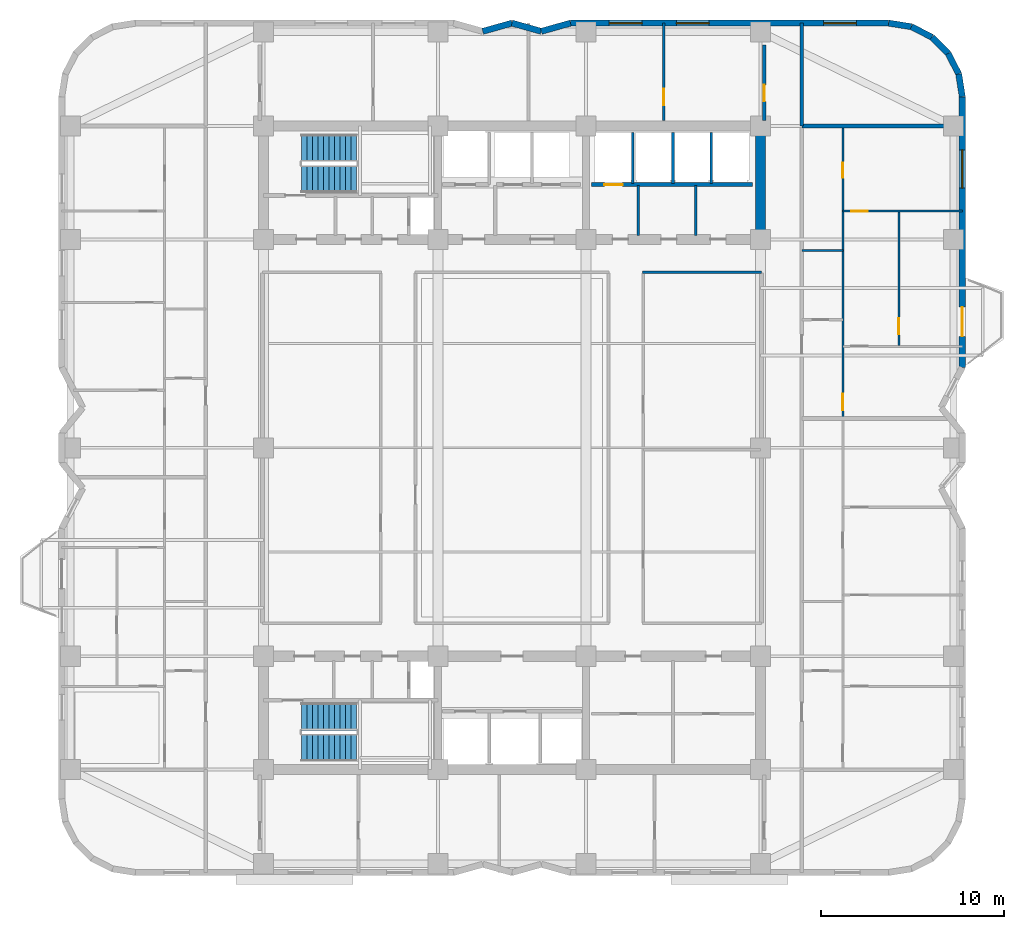
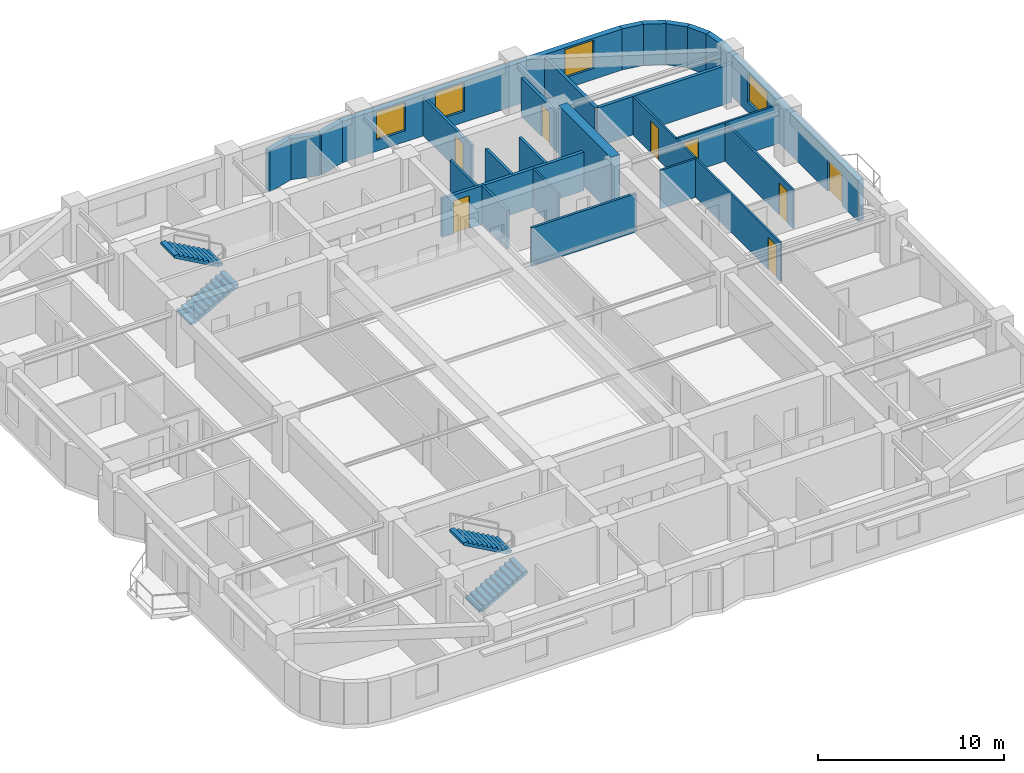
# One storey, part 7 of 10: 26 walls, 8 doors, 4 stair flights, 4 windows, 12 openings, 2 elements without a shape of their own.
"""IFC4 building model written with IfcOpenShell, lengths in metres."""

from ifc_helpers import new_model, si_unit, direction, frame, frame_2d, origin, place, context, subcontext, project, spatial, polyline, rectangle, outline, extrude, material, layer, layer_set, type_object, element, fill, aggregate, save


model = new_model("IFC4")

# Units and contexts
model_context = context("Model", 3, precision=1e-05, world=origin(), true_north=direction((0.0, 1.0)))
body_context = subcontext(model_context, "Body", "Model", "MODEL_VIEW")
ifc_project = project(units=[si_unit("LENGTHUNIT", "METRE"), si_unit("AREAUNIT", "SQUARE_METRE"), si_unit("VOLUMEUNIT", "CUBIC_METRE"), si_unit("PLANEANGLEUNIT", "RADIAN"), si_unit("MASSUNIT", "GRAM", prefix="KILO")], contexts=[model_context])

# Site, building, storey
site_placement = place(None, origin())
site = spatial("IfcSite", under=ifc_project, at=site_placement, CompositionType="ELEMENT")
building_placement = place(site_placement, origin())
building = spatial("IfcBuilding", under=site, at=building_placement, Name="Svetorya Sky Lyceum", CompositionType="ELEMENT")
storey_placement = place(building_placement, frame((0.0, 0.0, 129.0)))
storey = spatial("IfcBuildingStorey", under=building, at=storey_placement, Name="L32", CompositionType="ELEMENT", Elevation=129.0)

# Wall
ifc_material_1 = material(Name="Concrete C60/75", Category="concrete")
ifc_layer_1 = layer(ifc_material_1, 0.550048828125)
ifc_layer_set_1 = layer_set([ifc_layer_1], Name="Concrete C60/75")
wall_type_1 = type_object("IfcWallType", Name="WL-CORE-550", PredefinedType="SHEAR", material=ifc_layer_set_1)
wall_1_placement = place(storey_placement, frame((52.800048828125, 39.875, 0.0), z_axis=(0.0, 0.0, 1.0), x_axis=(0.0, 1.0, 0.0)))
element("IfcWall", 1, at=wall_1_placement, inside=storey, type_object=wall_type_1, Name="L32 NC East Core Shear Wall", PredefinedType="SHEAR", context=body_context, shape_type="SweptSolid", body=[
    extrude(rectangle(XDim=5.64990234375, YDim=0.550048828125, at=frame_2d((2.824951171875, 0.0))), origin(), (0.0, 0.0, 1.0), 3.699951171875),
])

# Wall, openings, door, window
ifc_material_2 = material(Name="Putilovo limestone rainscreen on autoclaved cellular masonry", Category="masonry")
ifc_layer_2 = layer(ifc_material_2, 0.340087890625)
ifc_layer_set_2 = layer_set([ifc_layer_2], Name="Putilovo limestone rainscreen on autoclaved cellular masonry")
wall_type_2 = type_object("IfcWallType", Name="WL-EXT-340", PredefinedType="SOLIDWALL", material=ifc_layer_set_2)
wall_2_placement = place(storey_placement, frame((63.830078125, 32.60009765625, 0.0), z_axis=(0.0, 0.0, 1.0), x_axis=(0.0, 1.0, 0.0)))
wall_2 = element("IfcWall", 2, at=wall_2_placement, inside=storey, type_object=wall_type_2, Name="L32 Limestone Exterior Wall 23M", PredefinedType="SOLIDWALL", context=body_context, shape_type="SweptSolid", body=[
    extrude(rectangle(XDim=14.7998046875, YDim=0.340087890625, at=frame_2d((7.39990234375, 0.0))), origin(), (0.0, 0.0, 1.0), 2.699951171875),
])
opening_1_placement = place(wall_2_placement, frame((1.699951171875, 0.0, 0.0)))
opening_1 = element("IfcOpeningElement", 3, at=opening_1_placement, cuts=wall_2, Name="Opening D-BL1", PredefinedType="OPENING", context=body_context, shape_type="SweptSolid", body=[
    extrude(rectangle(XDim=1.60009765625, YDim=2.10009765625, at=frame_2d((0.800048828125, 1.050048828125))), frame((0.0, 0.179931640625, 0.0), z_axis=(0.0, -1.0, 0.0), x_axis=(1.0, 0.0, 0.0)), (0.0, 0.0, 1.0), 0.360107421875),
])
opening_2_placement = place(wall_2_placement, frame((9.800048828125, 0.0, 0.679931640625)))
opening_2 = element("IfcOpeningElement", 4, at=opening_2_placement, cuts=wall_2, Name="Opening W-R0", PredefinedType="OPENING", context=body_context, shape_type="SweptSolid", body=[
    extrude(rectangle(XDim=2.10009765625, YDim=1.89990234375, at=frame_2d((1.050048828125, 0.949951171875))), frame((0.0, 0.179931640625, 0.0), z_axis=(0.0, -1.0, 0.0), x_axis=(1.0, 0.0, 0.0)), (0.0, 0.0, 1.0), 0.360107421875),
])
ifc_material_3 = material(Name="Insulated glazed aluminium balcony door", Category="aluminium")
door_type_1 = type_object("IfcDoorType", Name="DR-BAL-1600", OperationType="DOUBLE_DOOR_SINGLE_SWING", PredefinedType="DOOR", material=ifc_material_3)
door_1_placement = place(opening_1_placement, origin())
door_1 = element("IfcDoor", 5, at=door_1_placement, inside=storey, type_object=door_type_1, Name="L32 Balcony BAL-E1 Door", OperationType="DOUBLE_DOOR_SINGLE_SWING", OverallHeight=2.10009765625, OverallWidth=1.60009765625, PredefinedType="DOOR", context=body_context, shape_type="SweptSolid", body=[
    extrude(rectangle(XDim=1.60009765625, YDim=2.10009765625, at=frame_2d((0.800048828125, 1.050048828125))), frame((0.0, 0.02490234375, 0.0), z_axis=(0.0, -1.0, 0.0), x_axis=(1.0, 0.0, 0.0)), (0.0, 0.0, 1.0), 0.050048828125),
])
fill(opening_1, door_1)
ifc_material_4 = material(Name="Thermally broken aluminium frame with triple low-E glazing", Category="aluminium")
window_type_1 = type_object("IfcWindowType", Name="WN-RES-210", PartitioningType="TRIPLE_PANEL_VERTICAL", PredefinedType="WINDOW", material=ifc_material_4)
window_1_placement = place(opening_2_placement, origin())
window_1 = element("IfcWindow", 6, at=window_1_placement, inside=storey, type_object=window_type_1, Name="L32 Facade Window W-R0.23M.1", OverallHeight=1.89990234375, OverallWidth=2.10009765625, PartitioningType="SINGLE_PANEL", PredefinedType="WINDOW", context=body_context, shape_type="SweptSolid", body=[
    extrude(rectangle(XDim=2.10009765625, YDim=1.89990234375, at=frame_2d((1.050048828125, 0.949951171875))), frame((0.0, 0.030029296875, 0.0), z_axis=(0.0, -1.0, 0.0), x_axis=(1.0, 0.0, 0.0)), (0.0, 0.0, 1.0), 0.06005859375),
])
fill(opening_2, window_1)

# Walls
for number, where, z_axis, x_axis, name in (
    (7, (63.830078125, 47.39990234375, 0.0), (0.0, 0.0, 1.0), (-0.15644975923, 0.987685918112, 0.0), "L32 Limestone Exterior Wall 24M"),
    (8, (63.6328125, 48.645263671875, 0.0), (0.0, 0.0, 1.0), (-0.454015689056, 0.890993689142, 0.0), "L32 Limestone Exterior Wall 25M"),
    (9, (63.060302734375, 49.768798828125, 0.0), (0.0, 0.0, 1.0), (-0.707106781187, 0.707106781187, 0.0), "L32 Limestone Exterior Wall 26M"),
):
    element("IfcWall", number, at=place(storey_placement, frame(where, z_axis=z_axis, x_axis=x_axis)), inside=storey, type_object=wall_type_2, Name=name, PredefinedType="SOLIDWALL", context=body_context, shape_type="SweptSolid", body=[
        extrude(rectangle(XDim=1.260986328125, YDim=0.340087890625, at=frame_2d((0.63037109375, 0.0))), origin(), (0.0, 0.0, 1.0), 2.699951171875),
    ])
for number, where, z_axis, x_axis, name in (
    (10, (62.168701171875, 50.660400390625, 0.0), (0.0, 0.0, 1.0), (-0.890953769915, 0.454094020963, 0.0), "L32 Limestone Exterior Wall 27M"),
    (11, (61.04541015625, 51.23291015625, 0.0), (0.0, 0.0, 1.0), (-0.98771582066, 0.156260864002, 0.0), "L32 Limestone Exterior Wall 28M"),
):
    element("IfcWall", number, at=place(storey_placement, frame(where, z_axis=z_axis, x_axis=x_axis)), inside=storey, type_object=wall_type_2, Name=name, PredefinedType="SOLIDWALL", context=body_context, shape_type="SweptSolid", body=[
        extrude(rectangle(XDim=1.2607421875, YDim=0.340087890625, at=frame_2d((0.63037109375, 0.0))), origin(), (0.0, 0.0, 1.0), 2.699951171875),
    ])

# Wall, openings, windows
wall_3_placement = place(storey_placement, frame((59.800048828125, 51.429931640625, 0.0), z_axis=(0.0, 0.0, 1.0), x_axis=(-1.0, 0.0, 0.0)))
wall_3 = element("IfcWall", 12, at=wall_3_placement, inside=storey, type_object=wall_type_2, Name="L32 Limestone Exterior Wall 29M", PredefinedType="SOLIDWALL", context=body_context, shape_type="SweptSolid", body=[
    extrude(rectangle(XDim=17.400146484375, YDim=0.340087890625, at=frame_2d((8.7001953125, 0.0))), origin(), (0.0, 0.0, 1.0), 2.699951171875),
])
opening_3_placement = place(wall_3_placement, frame((1.762451171875, 0.0, 0.72998046875)))
opening_3 = element("IfcOpeningElement", 13, at=opening_3_placement, cuts=wall_3, Name="Opening W-R1", PredefinedType="OPENING", context=body_context, shape_type="SweptSolid", body=[
    extrude(rectangle(XDim=1.800048828125, YDim=1.85009765625, at=frame_2d((0.89990234375, 0.925048828125))), frame((0.0, 0.179931640625, 0.0), z_axis=(0.0, -1.0, 0.0), x_axis=(1.0, 0.0, 0.0)), (0.0, 0.0, 1.0), 0.360107421875),
])
opening_4_placement = place(wall_3_placement, frame((9.8125, 0.0, 0.72998046875)))
opening_4 = element("IfcOpeningElement", 14, at=opening_4_placement, cuts=wall_3, Name="Opening W-R1", PredefinedType="OPENING", context=body_context, shape_type="SweptSolid", body=[
    extrude(rectangle(XDim=1.800048828125, YDim=1.85009765625, at=frame_2d((0.89990234375, 0.925048828125))), frame((0.0, 0.179931640625, 0.0), z_axis=(0.0, -1.0, 0.0), x_axis=(1.0, 0.0, 0.0)), (0.0, 0.0, 1.0), 0.360107421875),
])
opening_5_placement = place(wall_3_placement, frame((13.487548828125, 0.0, 0.72998046875)))
opening_5 = element("IfcOpeningElement", 15, at=opening_5_placement, cuts=wall_3, Name="Opening W-R1", PredefinedType="OPENING", context=body_context, shape_type="SweptSolid", body=[
    extrude(rectangle(XDim=1.800048828125, YDim=1.85009765625, at=frame_2d((0.89990234375, 0.925048828125))), frame((0.0, 0.179931640625, 0.0), z_axis=(0.0, -1.0, 0.0), x_axis=(1.0, 0.0, 0.0)), (0.0, 0.0, 1.0), 0.360107421875),
])
window_type_2 = type_object("IfcWindowType", Name="WN-RES-180", PartitioningType="DOUBLE_PANEL_VERTICAL", PredefinedType="WINDOW", material=ifc_material_4)
window_2_placement = place(opening_3_placement, origin())
window_2 = element("IfcWindow", 16, at=window_2_placement, inside=storey, type_object=window_type_2, Name="L32 Facade Window W-R1.29M.1", OverallHeight=1.85009765625, OverallWidth=1.800048828125, PartitioningType="SINGLE_PANEL", PredefinedType="WINDOW", context=body_context, shape_type="SweptSolid", body=[
    extrude(rectangle(XDim=1.800048828125, YDim=1.85009765625, at=frame_2d((0.89990234375, 0.925048828125))), frame((0.0, 0.030029296875, 0.0), z_axis=(0.0, -1.0, 0.0), x_axis=(1.0, 0.0, 0.0)), (0.0, 0.0, 1.0), 0.06005859375),
])
fill(opening_3, window_2)
window_3_placement = place(opening_4_placement, origin())
window_3 = element("IfcWindow", 17, at=window_3_placement, inside=storey, type_object=window_type_2, Name="L32 Facade Window W-R1.29M.2", OverallHeight=1.85009765625, OverallWidth=1.800048828125, PartitioningType="SINGLE_PANEL", PredefinedType="WINDOW", context=body_context, shape_type="SweptSolid", body=[
    extrude(rectangle(XDim=1.800048828125, YDim=1.85009765625, at=frame_2d((0.89990234375, 0.925048828125))), frame((0.0, 0.030029296875, 0.0), z_axis=(0.0, -1.0, 0.0), x_axis=(1.0, 0.0, 0.0)), (0.0, 0.0, 1.0), 0.06005859375),
])
fill(opening_4, window_3)
window_4_placement = place(opening_5_placement, origin())
window_4 = element("IfcWindow", 18, at=window_4_placement, inside=storey, type_object=window_type_2, Name="L32 Facade Window W-R1.29M.3", OverallHeight=1.85009765625, OverallWidth=1.800048828125, PartitioningType="SINGLE_PANEL", PredefinedType="WINDOW", context=body_context, shape_type="SweptSolid", body=[
    extrude(rectangle(XDim=1.800048828125, YDim=1.85009765625, at=frame_2d((0.89990234375, 0.925048828125))), frame((0.0, 0.030029296875, 0.0), z_axis=(0.0, -1.0, 0.0), x_axis=(1.0, 0.0, 0.0)), (0.0, 0.0, 1.0), 0.06005859375),
])
fill(opening_5, window_4)

# Walls
wall_4_placement = place(storey_placement, frame((42.39990234375, 51.429931640625, 0.0), z_axis=(0.0, 0.0, 1.0), x_axis=(-0.962652136636, -0.270741322725, 0.0)))
element("IfcWall", 19, at=wall_4_placement, inside=storey, type_object=wall_type_2, Name="L32 Limestone Exterior Wall 30M", PredefinedType="SOLIDWALL", context=body_context, shape_type="SweptSolid", body=[
    extrude(rectangle(XDim=1.661865234375, YDim=0.340087890625, at=frame_2d((0.8310546875, 0.0))), origin(), (0.0, 0.0, 1.0), 2.699951171875),
])
wall_5_placement = place(storey_placement, frame((40.800048828125, 50.97998046875, 0.0), z_axis=(0.0, 0.0, 1.0), x_axis=(-0.962662902433, 0.270703040766, 0.0)))
element("IfcWall", 20, at=wall_5_placement, inside=storey, type_object=wall_type_2, Name="L32 Limestone Exterior Wall 31M", PredefinedType="SOLIDWALL", context=body_context, shape_type="SweptSolid", body=[
    extrude(rectangle(XDim=1.662109375, YDim=0.340087890625, at=frame_2d((0.8310546875, 0.0))), origin(), (0.0, 0.0, 1.0), 2.699951171875),
])
wall_6_placement = place(storey_placement, frame((39.199951171875, 51.429931640625, 0.0), z_axis=(0.0, 0.0, 1.0), x_axis=(-0.962652136636, -0.270741322725, 0.0)))
element("IfcWall", 21, at=wall_6_placement, inside=storey, type_object=wall_type_2, Name="L32 Limestone Exterior Wall 32M", PredefinedType="SOLIDWALL", context=body_context, shape_type="SweptSolid", body=[
    extrude(rectangle(XDim=1.661865234375, YDim=0.340087890625, at=frame_2d((0.8310546875, 0.0))), origin(), (0.0, 0.0, 1.0), 2.699951171875),
])
ifc_material_5 = material(Name="Twin-stud galvanized framing with double fireboard", Category="gypsum")
ifc_layer_3 = layer(ifc_material_5, 0.1201171875)
ifc_layer_set_3 = layer_set([ifc_layer_3], Name="Twin-stud galvanized framing with double fireboard")
wall_type_3 = type_object("IfcWallType", Name="WL-PART-120", PredefinedType="PARTITIONING", material=ifc_layer_set_3)
wall_7_placement = place(storey_placement, frame((49.25, 39.820068359375, 0.0), z_axis=(0.0, 0.0, 1.0), x_axis=(0.0, 1.0, 0.0)))
element("IfcWall", 22, at=wall_7_placement, inside=storey, type_object=wall_type_3, Name="L32 Interior Partition NC-Z2ED", PredefinedType="PARTITIONING", context=body_context, shape_type="SweptSolid", body=[
    extrude(rectangle(XDim=2.72998046875, YDim=0.1201171875, at=frame_2d((1.364990234375, 0.0))), origin(), (0.0, 0.0, 1.0), 2.530029296875),
])
wall_8_placement = place(storey_placement, frame((55.050048828125, 39.0, 0.0), z_axis=(0.0, 0.0, 1.0), x_axis=(1.0, 0.0, 0.0)))
element("IfcWall", 23, at=wall_8_placement, inside=storey, type_object=wall_type_3, Name="L32 Interior Partition E2-WH2", PredefinedType="PARTITIONING", context=body_context, shape_type="SweptSolid", body=[
    extrude(rectangle(XDim=2.25, YDim=0.1201171875, at=frame_2d((1.125, 0.0))), origin(), (0.0, 0.0, 1.0), 2.530029296875),
])

# Wall, opening, door
wall_9_placement = place(storey_placement, frame((60.36083984375, 33.7900390625, 0.0), z_axis=(0.0, 0.0, 1.0), x_axis=(0.0, 1.0, 0.0)))
wall_9 = element("IfcWall", 24, at=wall_9_placement, inside=storey, type_object=wall_type_3, Name="L32 Interior Partition E2-BVD1", PredefinedType="PARTITIONING", context=body_context, shape_type="SweptSolid", body=[
    extrude(rectangle(XDim=7.320068359375, YDim=0.1201171875, at=frame_2d((3.66015625, 0.0))), origin(), (0.0, 0.0, 1.0), 2.530029296875),
])
opening_6_placement = place(wall_9_placement, frame((0.610107421875, 0.0, 0.0)))
opening_6 = element("IfcOpeningElement", 25, at=opening_6_placement, cuts=wall_9, Name="Opening D-RM1", PredefinedType="OPENING", context=body_context, shape_type="SweptSolid", body=[
    extrude(rectangle(XDim=0.89990234375, YDim=2.10009765625, at=frame_2d((0.449951171875, 1.050048828125))), frame((0.0, 0.070068359375, 0.0), z_axis=(0.0, -1.0, 0.0), x_axis=(1.0, 0.0, 0.0)), (0.0, 0.0, 1.0), 0.14013671875),
])
ifc_material_6 = material(Name="Lacquered birch veneer internal door")
door_type_2 = type_object("IfcDoorType", Name="DR-INT-900", OperationType="SINGLE_SWING_LEFT", PredefinedType="DOOR", material=ifc_material_6)
door_2_placement = place(opening_6_placement, origin())
door_2 = element("IfcDoor", 26, at=door_2_placement, inside=storey, type_object=door_type_2, Name="Apartment E2 Suite Bedroom Door", OperationType="SINGLE_SWING_LEFT", OverallHeight=2.10009765625, OverallWidth=0.89990234375, PredefinedType="DOOR", context=body_context, shape_type="SweptSolid", body=[
    extrude(rectangle(XDim=0.89990234375, YDim=2.10009765625, at=frame_2d((0.449951171875, 1.050048828125))), frame((0.0, 0.02490234375, 0.0), z_axis=(0.0, -1.0, 0.0), x_axis=(1.0, 0.0, 0.0)), (0.0, 0.0, 1.0), 0.050048828125),
])
fill(opening_6, door_2)

wall_10_placement = place(storey_placement, frame((57.300048828125, 41.14990234375, 0.0), z_axis=(0.0, 0.0, 1.0), x_axis=(1.0, 0.0, 0.0)))
wall_10 = element("IfcWall", 27, at=wall_10_placement, inside=storey, type_object=wall_type_3, Name="L32 Interior Partition E2-WL2", PredefinedType="PARTITIONING", context=body_context, shape_type="SweptSolid", body=[
    extrude(rectangle(XDim=6.530029296875, YDim=0.1201171875, at=frame_2d((3.26513671875, 0.0))), origin(), (0.0, 0.0, 1.0), 2.530029296875),
])
opening_7_placement = place(wall_10_placement, frame((0.449951171875, 0.0, 0.0)))
opening_7 = element("IfcOpeningElement", 28, at=opening_7_placement, cuts=wall_10, Name="Opening D-RM1", PredefinedType="OPENING", context=body_context, shape_type="SweptSolid", body=[
    extrude(rectangle(XDim=0.89990234375, YDim=2.10009765625, at=frame_2d((0.449951171875, 1.050048828125))), frame((0.0, 0.070068359375, 0.0), z_axis=(0.0, -1.0, 0.0), x_axis=(1.0, 0.0, 0.0)), (0.0, 0.0, 1.0), 0.14013671875),
])
door_3_placement = place(opening_7_placement, origin())
door_3 = element("IfcDoor", 29, at=door_3_placement, inside=storey, type_object=door_type_2, Name="Apartment E2 Bedroom 2 Door", OperationType="SINGLE_SWING_RIGHT", OverallHeight=2.10009765625, OverallWidth=0.89990234375, PredefinedType="DOOR", context=body_context, shape_type="SweptSolid", body=[
    extrude(rectangle(XDim=0.89990234375, YDim=2.10009765625, at=frame_2d((0.449951171875, 1.050048828125))), frame((0.0, 0.02490234375, 0.0), z_axis=(0.0, -1.0, 0.0), x_axis=(1.0, 0.0, 0.0)), (0.0, 0.0, 1.0), 0.050048828125),
])
fill(opening_7, door_3)

# Wall, openings, doors
wall_11_placement = place(storey_placement, frame((57.300048828125, 29.840087890625, 0.0), z_axis=(0.0, 0.0, 1.0), x_axis=(0.0, 1.0, 0.0)))
wall_11 = element("IfcWall", 30, at=wall_11_placement, inside=storey, type_object=wall_type_3, Name="L32 Interior Partition E2-WV", PredefinedType="PARTITIONING", context=body_context, shape_type="SweptSolid", body=[
    extrude(rectangle(XDim=15.919921875, YDim=0.1201171875, at=frame_2d((7.9599609375, 0.0))), origin(), (0.0, 0.0, 1.0), 2.530029296875),
])
opening_8_placement = place(wall_11_placement, frame((0.409912109375, 0.0, 0.0)))
opening_8 = element("IfcOpeningElement", 31, at=opening_8_placement, cuts=wall_11, Name="Opening D-RM1", PredefinedType="OPENING", context=body_context, shape_type="SweptSolid", body=[
    extrude(rectangle(XDim=0.89990234375, YDim=2.10009765625, at=frame_2d((0.449951171875, 1.050048828125))), frame((0.0, 0.070068359375, 0.0), z_axis=(0.0, -1.0, 0.0), x_axis=(1.0, 0.0, 0.0)), (0.0, 0.0, 1.0), 0.14013671875),
])
opening_9_placement = place(wall_11_placement, frame((13.125, 0.0, 0.0)))
opening_9 = element("IfcOpeningElement", 32, at=opening_9_placement, cuts=wall_11, Name="Opening D-BT2", PredefinedType="OPENING", context=body_context, shape_type="SweptSolid", body=[
    extrude(rectangle(XDim=0.820068359375, YDim=2.080078125, at=frame_2d((0.41015625, 1.0400390625))), frame((0.0, 0.070068359375, 0.0), z_axis=(0.0, -1.0, 0.0), x_axis=(1.0, 0.0, 0.0)), (0.0, 0.0, 1.0), 0.14013671875),
])
door_4_placement = place(opening_8_placement, origin())
door_4 = element("IfcDoor", 33, at=door_4_placement, inside=storey, type_object=door_type_2, Name="Apartment E2 Living Door", OperationType="SINGLE_SWING_RIGHT", OverallHeight=2.10009765625, OverallWidth=0.89990234375, PredefinedType="DOOR", context=body_context, shape_type="SweptSolid", body=[
    extrude(rectangle(XDim=0.89990234375, YDim=2.10009765625, at=frame_2d((0.449951171875, 1.050048828125))), frame((0.0, 0.02490234375, 0.0), z_axis=(0.0, -1.0, 0.0), x_axis=(1.0, 0.0, 0.0)), (0.0, 0.0, 1.0), 0.050048828125),
])
fill(opening_8, door_4)
ifc_material_7 = material(Name="Compact moisture-resistant laminate closet door")
door_type_3 = type_object("IfcDoorType", Name="DR-WET-820", OperationType="SINGLE_SWING_LEFT", PredefinedType="DOOR", material=ifc_material_7)
door_5_placement = place(opening_9_placement, origin())
door_5 = element("IfcDoor", 34, at=door_5_placement, inside=storey, type_object=door_type_3, Name="Apartment E2 Study Door", OperationType="SINGLE_SWING_LEFT", OverallHeight=2.080078125, OverallWidth=0.820068359375, PredefinedType="DOOR", context=body_context, shape_type="SweptSolid", body=[
    extrude(rectangle(XDim=0.820068359375, YDim=2.080078125, at=frame_2d((0.41015625, 1.0400390625))), frame((0.0, 0.02490234375, 0.0), z_axis=(0.0, -1.0, 0.0), x_axis=(1.0, 0.0, 0.0)), (0.0, 0.0, 1.0), 0.050048828125),
])
fill(opening_9, door_5)

# Walls
ifc_material_8 = material(Name="Autoclaved cellular masonry blockwork with acoustic render", Category="masonry")
ifc_layer_4 = layer(ifc_material_8, 0.14990234375)
ifc_layer_set_4 = layer_set([ifc_layer_4], Name="Autoclaved cellular masonry blockwork with acoustic render")
wall_type_4 = type_object("IfcWallType", Name="WL-PART-150", PredefinedType="PARTITIONING", material=ifc_layer_set_4)
for number, where, z_axis, x_axis, name in (
    (35, (45.800048828125, 42.64990234375, 0.0), (0.0, 0.0, 1.0), (0.0, 1.0, 0.0), "L32 Interior Partition NC-PM3-D"),
    (36, (48.0, 42.64990234375, 0.0), (0.0, 0.0, 1.0), (0.0, 1.0, 0.0), "L32 Interior Partition NC-PH-D1"),
    (37, (50.10009765625, 42.64990234375, 0.0), (0.0, 0.0, 1.0), (0.0, 1.0, 0.0), "L32 Interior Partition NC-PH-D2"),
):
    element("IfcWall", number, at=place(storey_placement, frame(where, z_axis=z_axis, x_axis=x_axis)), inside=storey, type_object=wall_type_4, Name=name, PredefinedType="PARTITIONING", context=body_context, shape_type="SweptSolid", body=[
        extrude(rectangle(XDim=2.800048828125, YDim=0.14990234375, at=frame_2d((1.39990234375, 0.0))), origin(), (0.0, 0.0, 1.0), 2.530029296875),
    ])
wall_12_placement = place(storey_placement, frame((46.10009765625, 39.820068359375, 0.0), z_axis=(0.0, 0.0, 1.0), x_axis=(0.0, 1.0, 0.0)))
element("IfcWall", 38, at=wall_12_placement, inside=storey, type_object=wall_type_4, Name="L32 Interior Partition NC-PM3SEP", PredefinedType="PARTITIONING", context=body_context, shape_type="SweptSolid", body=[
    extrude(rectangle(XDim=2.72998046875, YDim=0.14990234375, at=frame_2d((1.364990234375, 0.0))), origin(), (0.0, 0.0, 1.0), 2.530029296875),
])
wall_13_placement = place(storey_placement, frame((46.35009765625, 37.800048828125, 0.0), z_axis=(0.0, 0.0, 1.0), x_axis=(1.0, 0.0, 0.0)))
element("IfcWall", 39, at=wall_13_placement, inside=storey, type_object=wall_type_4, Name="L32 Interior Partition RL-CN-E", PredefinedType="PARTITIONING", context=body_context, shape_type="SweptSolid", body=[
    extrude(rectangle(XDim=6.5, YDim=0.14990234375, at=frame_2d((3.25, 0.0))), origin(), (0.0, 0.0, 1.0), 2.530029296875),
])

# Wall, opening, door
wall_14_placement = place(storey_placement, frame((47.5, 46.10009765625, 0.0), z_axis=(0.0, 0.0, 1.0), x_axis=(0.0, 1.0, 0.0)))
wall_14 = element("IfcWall", 40, at=wall_14_placement, inside=storey, type_object=wall_type_4, Name="L32 Interior Partition N4-D3", PredefinedType="PARTITIONING", context=body_context, shape_type="SweptSolid", body=[
    extrude(rectangle(XDim=5.329833984375, YDim=0.14990234375, at=frame_2d((2.6650390625, 0.0))), origin(), (0.0, 0.0, 1.0), 2.530029296875),
])
opening_10_placement = place(wall_14_placement, frame((0.85009765625, 0.0, 0.0)))
opening_10 = element("IfcOpeningElement", 41, at=opening_10_placement, cuts=wall_14, Name="Opening D-RM1", PredefinedType="OPENING", context=body_context, shape_type="SweptSolid", body=[
    extrude(rectangle(XDim=0.89990234375, YDim=2.10009765625, at=frame_2d((0.449951171875, 1.050048828125))), frame((0.0, 0.0849609375, 0.0), z_axis=(0.0, -1.0, 0.0), x_axis=(1.0, 0.0, 0.0)), (0.0, 0.0, 1.0), 0.169921875),
])
door_6_placement = place(opening_10_placement, origin())
door_6 = element("IfcDoor", 42, at=door_6_placement, inside=storey, type_object=door_type_2, Name="L32 North Suite Door 3", OperationType="SINGLE_SWING_RIGHT", OverallHeight=2.10009765625, OverallWidth=0.89990234375, PredefinedType="DOOR", context=body_context, shape_type="SweptSolid", body=[
    extrude(rectangle(XDim=0.89990234375, YDim=2.10009765625, at=frame_2d((0.449951171875, 1.050048828125))), frame((0.0, 0.02490234375, 0.0), z_axis=(0.0, -1.0, 0.0), x_axis=(1.0, 0.0, 0.0)), (0.0, 0.0, 1.0), 0.050048828125),
])
fill(opening_10, door_6)

ifc_material_9 = material(Name="Autoclaved cellular masonry blockwork with gypsum plaster", Category="masonry")
ifc_layer_5 = layer(ifc_material_9, 0.199951171875)
ifc_layer_set_5 = layer_set([ifc_layer_5], Name="Autoclaved cellular masonry blockwork with gypsum plaster")
wall_type_5 = type_object("IfcWallType", Name="WL-PART-200", PredefinedType="PARTITIONING", material=ifc_layer_set_5)
wall_15_placement = place(storey_placement, frame((52.35009765625, 42.60009765625, 0.0), z_axis=(0.0, 0.0, 1.0), x_axis=(-1.0, 0.0, 0.0)))
wall_15 = element("IfcWall", 43, at=wall_15_placement, inside=storey, type_object=wall_type_5, Name="L32 Interior Partition NC-PHEW", PredefinedType="PARTITIONING", context=body_context, shape_type="SweptSolid", body=[
    extrude(rectangle(XDim=8.800048828125, YDim=0.199951171875, at=frame_2d((4.39990234375, 0.0))), origin(), (0.0, 0.0, 1.0), 2.530029296875),
])
opening_11_placement = place(wall_15_placement, frame((7.10009765625, 0.0, 0.0)))
opening_11 = element("IfcOpeningElement", 44, at=opening_11_placement, cuts=wall_15, Name="Opening LD-P1", PredefinedType="OPENING", context=body_context, shape_type="SweptSolid", body=[
    extrude(rectangle(XDim=1.0, YDim=2.14990234375, at=frame_2d((0.5, 1.074951171875))), frame((0.0, 0.10986328125, 0.0), z_axis=(0.0, -1.0, 0.0), x_axis=(1.0, 0.0, 0.0)), (0.0, 0.0, 1.0), 0.219970703125),
])
ifc_material_10 = material(Name="Champagne-anodized stainless passenger lift landing door")
door_type_4 = type_object("IfcDoorType", Name="DR-LIFT-1000", OperationType="SLIDING_TO_LEFT", PredefinedType="DOOR", material=ifc_material_10)
door_7_placement = place(opening_11_placement, origin())
door_7 = element("IfcDoor", 45, at=door_7_placement, inside=storey, type_object=door_type_4, Name="L32 Passenger Lift PM3 Landing Door", OperationType="SLIDING_TO_LEFT", OverallHeight=2.14990234375, OverallWidth=1.0, PredefinedType="DOOR", context=body_context, shape_type="SweptSolid", body=[
    extrude(rectangle(XDim=1.0, YDim=2.14990234375, at=frame_2d((0.5, 1.074951171875))), frame((0.0, 0.02490234375, 0.0), z_axis=(0.0, -1.0, 0.0), x_axis=(1.0, 0.0, 0.0)), (0.0, 0.0, 1.0), 0.050048828125),
])
fill(opening_11, door_7)

# Walls
wall_16_placement = place(storey_placement, frame((55.050048828125, 45.800048828125, 0.0), z_axis=(0.0, 0.0, 1.0), x_axis=(1.0, 0.0, 0.0)))
element("IfcWall", 46, at=wall_16_placement, inside=storey, type_object=wall_type_5, Name="L32 Interior Partition E-CAP-N", PredefinedType="PARTITIONING", context=body_context, shape_type="SweptSolid", body=[
    extrude(rectangle(XDim=8.35986328125, YDim=0.199951171875, at=frame_2d((4.179931640625, 0.0))), origin(), (0.0, 0.0, 1.0), 2.530029296875),
])
wall_17_placement = place(storey_placement, frame((55.050048828125, 45.800048828125, 0.0), z_axis=(0.0, 0.0, 1.0), x_axis=(0.0, 1.0, 0.0)))
element("IfcWall", 47, at=wall_17_placement, inside=storey, type_object=wall_type_5, Name="L32 Interior Partition EC-NE-END", PredefinedType="PARTITIONING", context=body_context, shape_type="SweptSolid", body=[
    extrude(rectangle(XDim=5.6298828125, YDim=0.199951171875, at=frame_2d((2.81494140625, 0.0))), origin(), (0.0, 0.0, 1.0), 2.530029296875),
])

# Wall, opening, door
wall_18_placement = place(storey_placement, frame((53.0, 46.10009765625, 0.0), z_axis=(0.0, 0.0, 1.0), x_axis=(0.0, 1.0, 0.0)))
wall_18 = element("IfcWall", 48, at=wall_18_placement, inside=storey, type_object=wall_type_5, Name="L32 Interior Partition N4-EE", PredefinedType="PARTITIONING", context=body_context, shape_type="SweptSolid", body=[
    extrude(rectangle(XDim=4.1298828125, YDim=0.199951171875, at=frame_2d((2.06494140625, 0.0))), origin(), (0.0, 0.0, 1.0), 2.530029296875),
])
opening_12_placement = place(wall_18_placement, frame((1.050048828125, 0.0, 0.0)))
opening_12 = element("IfcOpeningElement", 49, at=opening_12_placement, cuts=wall_18, Name="Opening D-RM1", PredefinedType="OPENING", context=body_context, shape_type="SweptSolid", body=[
    extrude(rectangle(XDim=0.89990234375, YDim=2.10009765625, at=frame_2d((0.449951171875, 1.050048828125))), frame((0.0, 0.10986328125, 0.0), z_axis=(0.0, -1.0, 0.0), x_axis=(1.0, 0.0, 0.0)), (0.0, 0.0, 1.0), 0.219970703125),
])
door_8_placement = place(opening_12_placement, origin())
door_8 = element("IfcDoor", 50, at=door_8_placement, inside=storey, type_object=door_type_2, Name="L32 NE Office Door", OperationType="SINGLE_SWING_LEFT", OverallHeight=2.10009765625, OverallWidth=0.89990234375, PredefinedType="DOOR", context=body_context, shape_type="SweptSolid", body=[
    extrude(rectangle(XDim=0.89990234375, YDim=2.10009765625, at=frame_2d((0.449951171875, 1.050048828125))), frame((0.0, 0.02490234375, 0.0), z_axis=(0.0, -1.0, 0.0), x_axis=(1.0, 0.0, 0.0)), (0.0, 0.0, 1.0), 0.050048828125),
])
fill(opening_12, door_8)

# Stair, stair flights
ifc_material_11 = material(Name="Concrete C40/50", Category="concrete")
stair_type_1 = type_object("IfcStairType", Name="STR-ST-N", PredefinedType="HALF_TURN_STAIR", material=ifc_material_11)
stair_1_placement = place(storey_placement, origin())
stair_1 = element("IfcStair", 51, at=stair_1_placement, inside=storey, type_object=stair_type_1, Name="L32 North Core Smoke-Free Exit Stair N3", PredefinedType="HALF_TURN_STAIR")
stair_flight_type_1 = type_object("IfcStairFlightType", Name="SFL-ST-N", PredefinedType="STRAIGHT", material=ifc_material_11)
stair_flight_1_placement = place(storey_placement, frame((27.699951171875, 42.89990234375, 0.0), z_axis=(0.0, 0.0, 1.0), x_axis=(1.0, 0.0, 0.0)))
stair_flight_1 = element("IfcStairFlight", 52, at=stair_flight_1_placement, type_object=stair_flight_type_1, Name="ST-N flight 1", NumberOfRisers=11, NumberOfTreads=10, PredefinedType="STRAIGHT", RiserHeight=0.168181818, TreadLength=0.3, context=body_context, shape_type="SweptSolid", body=[
    extrude(outline(polyline([(0.0, 0.0), (0.0, 0.168212890625), (0.300048828125, 0.168212890625), (0.300048828125, 0.33642578125), (0.60009765625, 0.33642578125), (0.60009765625, 0.504638671875), (0.89990234375, 0.504638671875), (0.89990234375, 0.672607421875), (1.199951171875, 0.672607421875), (1.199951171875, 0.8408203125), (1.5, 0.8408203125), (1.5, 1.009033203125), (1.800048828125, 1.009033203125), (1.800048828125, 1.17724609375), (2.10009765625, 1.17724609375), (2.10009765625, 1.345458984375), (2.39990234375, 1.345458984375), (2.39990234375, 1.513671875), (2.699951171875, 1.513671875), (2.699951171875, 1.681884765625), (3.0, 1.681884765625), (3.0, 1.85009765625), (3.0, 1.510009765625), (0.306640625, 0.0), (0.0, 0.0)])), frame((0.0, 0.75, 0.0), z_axis=(0.0, -1.0, 0.0), x_axis=(1.0, 0.0, 0.0)), (0.0, 0.0, 1.0), 1.5),
])
stair_flight_2_placement = place(storey_placement, frame((30.699951171875, 44.60009765625, 1.85009765625), z_axis=(0.0, 0.0, 1.0), x_axis=(-1.0, 0.0, 0.0)))
stair_flight_2 = element("IfcStairFlight", 53, at=stair_flight_2_placement, type_object=stair_flight_type_1, Name="ST-N flight 2", NumberOfRisers=11, NumberOfTreads=10, PredefinedType="STRAIGHT", RiserHeight=0.168181818, TreadLength=0.3, context=body_context, shape_type="SweptSolid", body=[
    extrude(outline(polyline([(0.0, 0.0), (0.0, 0.168212890625), (0.300048828125, 0.168212890625), (0.300048828125, 0.33642578125), (0.60009765625, 0.33642578125), (0.60009765625, 0.504638671875), (0.89990234375, 0.504638671875), (0.89990234375, 0.672607421875), (1.199951171875, 0.672607421875), (1.199951171875, 0.8408203125), (1.5, 0.8408203125), (1.5, 1.009033203125), (1.800048828125, 1.009033203125), (1.800048828125, 1.17724609375), (2.10009765625, 1.17724609375), (2.10009765625, 1.345458984375), (2.39990234375, 1.345458984375), (2.39990234375, 1.513671875), (2.699951171875, 1.513671875), (2.699951171875, 1.681884765625), (3.0, 1.681884765625), (3.0, 1.85009765625), (3.0, 1.510009765625), (0.306640625, 0.0), (0.0, 0.0)])), frame((0.0, 0.75, 0.0), z_axis=(0.0, -1.0, 0.0), x_axis=(1.0, 0.0, 0.0)), (0.0, 0.0, 1.0), 1.5),
])
aggregate(stair_1, [stair_flight_1, stair_flight_2])

stair_type_2 = type_object("IfcStairType", Name="STR-ST-S", PredefinedType="HALF_TURN_STAIR", material=ifc_material_11)
stair_2_placement = place(storey_placement, origin())
stair_2 = element("IfcStair", 54, at=stair_2_placement, inside=storey, type_object=stair_type_2, Name="L32 South Core Smoke-Free Exit Stair N2", PredefinedType="HALF_TURN_STAIR")
stair_flight_type_2 = type_object("IfcStairFlightType", Name="SFL-ST-S", PredefinedType="STRAIGHT", material=ifc_material_11)
stair_flight_3_placement = place(storey_placement, frame((27.699951171875, 11.800048828125, 0.0), z_axis=(0.0, 0.0, 1.0), x_axis=(1.0, 0.0, 0.0)))
stair_flight_3 = element("IfcStairFlight", 55, at=stair_flight_3_placement, type_object=stair_flight_type_2, Name="ST-S flight 1", NumberOfRisers=11, NumberOfTreads=10, PredefinedType="STRAIGHT", RiserHeight=0.168181818, TreadLength=0.3, context=body_context, shape_type="SweptSolid", body=[
    extrude(outline(polyline([(0.0, 0.0), (0.0, 0.168212890625), (0.300048828125, 0.168212890625), (0.300048828125, 0.33642578125), (0.60009765625, 0.33642578125), (0.60009765625, 0.504638671875), (0.89990234375, 0.504638671875), (0.89990234375, 0.672607421875), (1.199951171875, 0.672607421875), (1.199951171875, 0.8408203125), (1.5, 0.8408203125), (1.5, 1.009033203125), (1.800048828125, 1.009033203125), (1.800048828125, 1.17724609375), (2.10009765625, 1.17724609375), (2.10009765625, 1.345458984375), (2.39990234375, 1.345458984375), (2.39990234375, 1.513671875), (2.699951171875, 1.513671875), (2.699951171875, 1.681884765625), (3.0, 1.681884765625), (3.0, 1.85009765625), (3.0, 1.510009765625), (0.306640625, 0.0), (0.0, 0.0)])), frame((0.0, 0.75, 0.0), z_axis=(0.0, -1.0, 0.0), x_axis=(1.0, 0.0, 0.0)), (0.0, 0.0, 1.0), 1.5),
])
stair_flight_4_placement = place(storey_placement, frame((30.699951171875, 13.5, 1.85009765625), z_axis=(0.0, 0.0, 1.0), x_axis=(-1.0, 0.0, 0.0)))
stair_flight_4 = element("IfcStairFlight", 56, at=stair_flight_4_placement, type_object=stair_flight_type_2, Name="ST-S flight 2", NumberOfRisers=11, NumberOfTreads=10, PredefinedType="STRAIGHT", RiserHeight=0.168181818, TreadLength=0.3, context=body_context, shape_type="SweptSolid", body=[
    extrude(outline(polyline([(0.0, 0.0), (0.0, 0.168212890625), (0.300048828125, 0.168212890625), (0.300048828125, 0.33642578125), (0.60009765625, 0.33642578125), (0.60009765625, 0.504638671875), (0.89990234375, 0.504638671875), (0.89990234375, 0.672607421875), (1.199951171875, 0.672607421875), (1.199951171875, 0.8408203125), (1.5, 0.8408203125), (1.5, 1.009033203125), (1.800048828125, 1.009033203125), (1.800048828125, 1.17724609375), (2.10009765625, 1.17724609375), (2.10009765625, 1.345458984375), (2.39990234375, 1.345458984375), (2.39990234375, 1.513671875), (2.699951171875, 1.513671875), (2.699951171875, 1.681884765625), (3.0, 1.681884765625), (3.0, 1.85009765625), (3.0, 1.510009765625), (0.306640625, 0.0), (0.0, 0.0)])), frame((0.0, 0.75, 0.0), z_axis=(0.0, -1.0, 0.0), x_axis=(1.0, 0.0, 0.0)), (0.0, 0.0, 1.0), 1.5),
])
aggregate(stair_2, [stair_flight_3, stair_flight_4])

save(model, "model.ifc")
